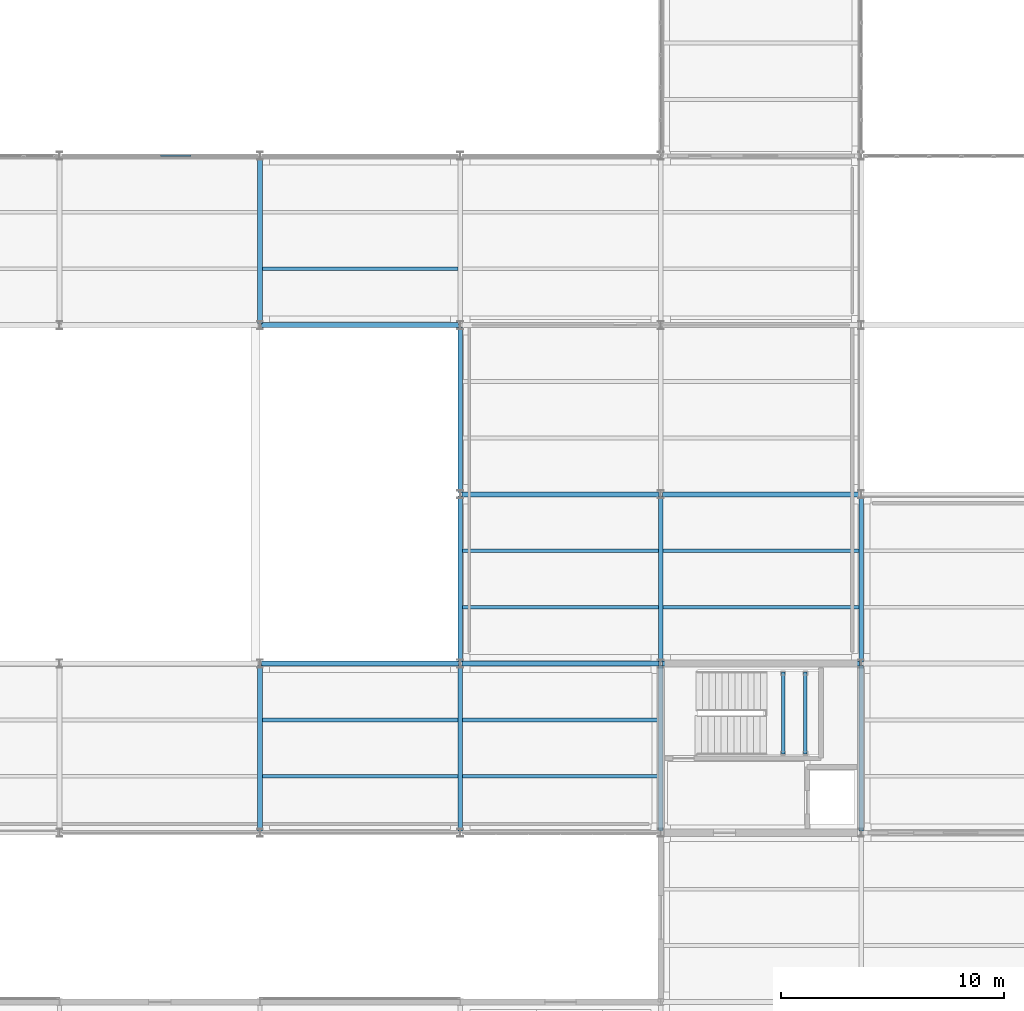
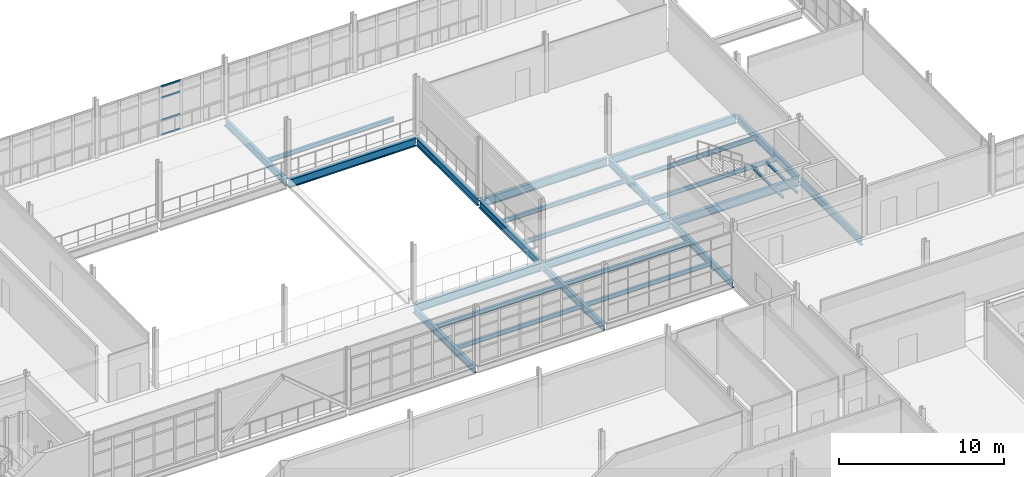
# One storey, part 47 of 174: 26 beams, 4 members, 1 element without a shape of its own.
"""IFC4 building model written with IfcOpenShell, lengths in metres."""

import ifcopenshell
import ifcopenshell.guid

model = None  # the IFC model being written
_history = None  # IfcOwnerHistory: only IFC2X3 demands one
_inside = {}  # id of a spatial element -> (the spatial element, [elements in it])
_under = {}  # id of a project, library or spatial element -> (it, [spatial elements below it])
_declared = {}  # id of a project -> (the project, [libraries it declares])
_typed = {}  # id of a type object -> (the type object, [elements of that type])
_made_of = {}  # id of a material, layer set ... -> (it, [elements and type objects made of it])


def new_model(schema):
    """Start an empty IFC model of exactly this schema.

    Asked for "IFC4X3", IfcOpenShell would pick the latest addendum, in which some entities
    have other attributes; the version numbers below select the first issue.
    IFC2X3 requires an IfcOwnerHistory on every rooted entity: one is made here for all.
    """
    global model, _history
    if schema == "IFC4X3":
        model = ifcopenshell.file(schema_version=(4, 3, 0, 0))
    else:
        model = ifcopenshell.file(schema=schema)
    _inside.clear()
    _under.clear()
    _declared.clear()
    _typed.clear()
    _made_of.clear()
    _history = None
    if model.schema == "IFC2X3":
        org = make("IfcOrganization", Name="unknown")
        user = make(
            "IfcPersonAndOrganization",
            ThePerson=make("IfcPerson", FamilyName="unknown"),
            TheOrganization=org,
        )
        app = make(
            "IfcApplication",
            ApplicationDeveloper=org,
            Version="unknown",
            ApplicationFullName="unknown",
            ApplicationIdentifier="unknown",
        )
        _history = make(
            "IfcOwnerHistory",
            OwningUser=user,
            OwningApplication=app,
            ChangeAction="ADDED",
            CreationDate=0,
        )
    return model


def make(cls, **values):
    """One entity of the class cls with the attributes given. An attribute that is None is left unset."""
    return model.create_entity(
        cls, **{name: value for name, value in values.items() if value is not None}
    )


def rooted(cls, **values):
    """An entity with a GlobalId (a new one), such as an element, a storey or a relation."""
    return make(cls, GlobalId=ifcopenshell.guid.new(), OwnerHistory=_history, **values)


def si_unit(unit_type, name, prefix=None):
    """IfcSIUnit, for example si_unit("LENGTHUNIT", "METRE", prefix="MILLI")."""
    return make("IfcSIUnit", UnitType=unit_type, Prefix=prefix, Name=name)


def assignment(units):
    """IfcUnitAssignment: the units of a project."""
    return None if units is None else make("IfcUnitAssignment", Units=units)


def point(xyz):
    """IfcCartesianPoint."""
    return None if xyz is None else make("IfcCartesianPoint", Coordinates=xyz)


def direction(xyz):
    """IfcDirection."""
    return None if xyz is None else make("IfcDirection", DirectionRatios=xyz)


def frame(location, z_axis=None, x_axis=None):
    """IfcAxis2Placement3D, a coordinate frame: its origin and axes. An axis left out is left unset."""
    return make(
        "IfcAxis2Placement3D",
        Location=point(location),
        Axis=direction(z_axis),
        RefDirection=direction(x_axis),
    )


def frame_2d(location, x_axis=None):
    """IfcAxis2Placement2D, a coordinate frame in the plane: its origin and x axis."""
    return make(
        "IfcAxis2Placement2D", Location=point(location), RefDirection=direction(x_axis)
    )


def origin():
    """The frame at (0, 0, 0) with its axes left unset."""
    return frame((0.0, 0.0, 0.0))


def origin_2d():
    """The frame at (0, 0) in the plane with its x axis left unset."""
    return frame_2d((0.0, 0.0))


def place(relative_to, where):
    """IfcLocalPlacement: puts the frame where relative to a parent placement (None: the world)."""
    return make(
        "IfcLocalPlacement", PlacementRelTo=relative_to, RelativePlacement=where
    )


def context(
    kind, dimensions, precision=None, world=None, true_north=None, identifier=None
):
    """IfcGeometricRepresentationContext, for example the 3D "Model" context."""
    return make(
        "IfcGeometricRepresentationContext",
        ContextIdentifier=identifier,
        ContextType=kind,
        CoordinateSpaceDimension=dimensions,
        Precision=precision,
        WorldCoordinateSystem=world,
        TrueNorth=true_north,
    )


def subcontext(parent, identifier, kind, view, scale=None):
    """IfcGeometricRepresentationSubContext, for example "Body" below "Model"."""
    return make(
        "IfcGeometricRepresentationSubContext",
        ContextIdentifier=identifier,
        ContextType=kind,
        ParentContext=parent,
        TargetScale=scale,
        TargetView=view,
    )


def project(units=None, contexts=None):
    """IfcProject with its units and contexts."""
    return rooted(
        "IfcProject",
        Name="project",
        RepresentationContexts=contexts,
        UnitsInContext=assignment(units),
    )


def spatial(cls, under=None, at=None, **own):
    """A site, building, storey or space (cls), placed at a placement, below another one or the project."""
    s = rooted(cls, ObjectPlacement=at, **own)
    if under is not None:
        _under.setdefault(under.id(), (under, []))[1].append(s)
    return s


def profile(cls, at=None, kind="AREA", **sizes):
    """A parametric profile (cls). Its sizes go by their IFC names, for example OverallWidth=200.0."""
    return make(cls, ProfileType=kind, Position=at, **sizes)


def hollow_rectangle(**sizes):
    """IfcRectangleHollowProfileDef."""
    return profile("IfcRectangleHollowProfileDef", **sizes)


def i_section(**sizes):
    """IfcIShapeProfileDef."""
    return profile("IfcIShapeProfileDef", **sizes)


def extrude(swept, where, along, depth):
    """IfcExtrudedAreaSolid: the profile swept, set in the frame where, extruded along a direction by depth."""
    return make(
        "IfcExtrudedAreaSolid",
        SweptArea=swept,
        Position=where,
        ExtrudedDirection=direction(along),
        Depth=depth,
    )


def shape(context_of_items, identifier, shape_type, items):
    """IfcShapeRepresentation: the items that make up one representation, for example the "Body"."""
    return make(
        "IfcShapeRepresentation",
        ContextOfItems=context_of_items,
        RepresentationIdentifier=identifier,
        RepresentationType=shape_type,
        Items=items,
    )


def material(Name=None, Category=None):
    """IfcMaterial."""
    return make("IfcMaterial", Name=Name, Category=Category)


def material_profile(
    of_material, cross_section, Name=None, Category=None, Priority=None
):
    """IfcMaterialProfile: a cross section and its material."""
    return make(
        "IfcMaterialProfile",
        Name=Name,
        Material=of_material,
        Profile=cross_section,
        Priority=Priority,
        Category=Category,
    )


def profile_set(profiles, Name=None, composite=None):
    """IfcMaterialProfileSet."""
    return make(
        "IfcMaterialProfileSet",
        Name=Name,
        MaterialProfiles=profiles,
        CompositeProfile=composite,
    )


def made_of(thing, what):
    """Note that an element or type object is made of a material, layer set ...; save() writes the relation."""
    if what is not None:
        _made_of.setdefault(what.id(), (what, []))[1].append(thing)
    return thing


def type_object(cls, material=None, **own):
    """A type object (cls), such as IfcWallType, which elements share."""
    return made_of(rooted(cls, **own), material)


def element(
    cls,
    number,
    at=None,
    inside=None,
    cuts=None,
    type_object=None,
    material=None,
    context=None,
    identifier="Body",
    shape_type=None,
    held_by="IfcProductDefinitionShape",
    body=None,
    shapes=None,
    **own,
):
    """One element of the class cls, such as IfcWall. Its Tag is "e" and its number.

    at: its placement. inside: the storey or other place that contains it. cuts: it is an
    opening in that element (IfcRelVoidsElement). A single representation is given by context,
    identifier, shape_type and body (its items); several are given by shapes. held_by: the class
    of the entity that holds the representations. save() writes the other relations.
    """
    e = rooted(cls, Tag="e%d" % number, ObjectPlacement=at, **own)
    if body is not None:
        shapes = [shape(context, identifier, shape_type, body)]
    if shapes is not None:
        e.Representation = make(held_by, Representations=shapes)
    if inside is not None:
        _inside.setdefault(inside.id(), (inside, []))[1].append(e)
    if cuts is not None:
        rooted(
            "IfcRelVoidsElement", RelatingBuildingElement=cuts, RelatedOpeningElement=e
        )
    if type_object is not None:
        _typed.setdefault(type_object.id(), (type_object, []))[1].append(e)
    return made_of(e, material)


def aggregate(whole, parts):
    """IfcRelAggregates: a whole, such as a stair, and the parts it consists of."""
    return rooted("IfcRelAggregates", RelatingObject=whole, RelatedObjects=parts)


def save(model, path):
    """Write the relations noted so far, then the file.

    IfcRelAggregates (storeys below a building ...), IfcRelContainedInSpatialStructure (elements
    in a storey), IfcRelDefinesByType, IfcRelAssociatesMaterial and IfcRelDeclares: one each for
    every whole, place, type object, material and project.
    """
    for whole, parts in _under.values():
        aggregate(whole, parts)
    for where, things in _inside.values():
        rooted(
            "IfcRelContainedInSpatialStructure",
            RelatedElements=things,
            RelatingStructure=where,
        )
    for kind, things in _typed.values():
        rooted("IfcRelDefinesByType", RelatedObjects=things, RelatingType=kind)
    for what, things in _made_of.values():
        rooted("IfcRelAssociatesMaterial", RelatedObjects=things, RelatingMaterial=what)
    for by, libraries in _declared.values():
        rooted("IfcRelDeclares", RelatingContext=by, RelatedDefinitions=libraries)
    model.write(path)


model = new_model("IFC4")

# Units and contexts
model_context = context("Model", 3, precision=1e-05, world=origin(), true_north=direction((0.0, 1.0)))
body_context = subcontext(model_context, "Body", "Model", "MODEL_VIEW")
ifc_project = project(units=[si_unit("LENGTHUNIT", "METRE"), si_unit("AREAUNIT", "SQUARE_METRE"), si_unit("VOLUMEUNIT", "CUBIC_METRE"), si_unit("PLANEANGLEUNIT", "RADIAN"), si_unit("MASSUNIT", "GRAM", prefix="KILO")], contexts=[model_context])

# Site, building, storey
site_placement = place(None, origin())
site = spatial("IfcSite", under=ifc_project, at=site_placement, CompositionType="ELEMENT")
building_placement = place(site_placement, origin())
building = spatial("IfcBuilding", under=site, at=building_placement, Name="Caisbarro Railhouse Central Library", CompositionType="ELEMENT")
storey_placement = place(building_placement, frame((0.0, 0.0, 5.0400390625)))
storey = spatial("IfcBuildingStorey", under=building, at=storey_placement, Name="L01", CompositionType="ELEMENT", Elevation=5.0400390625)

# Beams
ifc_material_1 = material(Name="Steel ASTM A572 Grade 50", Category="steel")
ifc_material_profile_1 = material_profile(ifc_material_1, i_section(OverallWidth=0.22802734375, OverallDepth=0.60791015625, WebThickness=0.01123046875, FlangeThickness=0.017333984375, FilletRadius=0.02197265625, at=origin_2d()), Name="W610X113.0")
ifc_profile_set_1 = profile_set([ifc_material_profile_1], Name="Steel ASTM A572 Grade 50")
beam_type_1 = type_object("IfcBeamType", Name="BM-G04", PredefinedType="BEAM", material=ifc_profile_set_1)
for number, where, z_axis, x_axis, name in (
    (1, (36.080078125, 38.0, -0.52392578125), (1.0, 0.0, 0.0), (0.0, 1.0, 0.0), "G04 beam L01 #800"),
    (2, (45.080078125, 38.0, -0.52392578125), (1.0, 0.0, 0.0), (0.0, 1.0, 0.0), "G04 beam L01 #801"),
    (3, (54.080078125, 38.0, -0.52392578125), (1.0, 0.0, 0.0), (0.0, 1.0, 0.0), "G04 beam L01 #802"),
    (4, (45.080078125, 45.60009765625, -0.52392578125), (1.0, 0.0, 0.0), (0.0, 1.0, 0.0), "G04 beam L01 #806"),
    (5, (54.080078125, 45.60009765625, -0.52392578125), (1.0, 0.0, 0.0), (0.0, 1.0, 0.0), "G04 beam L01 #807"),
    (6, (36.080078125, 53.199951171875, -0.52392578125), (1.0, 0.0, 0.0), (0.0, 1.0, 0.0), "G04 beam L01 #813"),
):
    element("IfcBeam", number, at=place(storey_placement, frame(where, z_axis=z_axis, x_axis=x_axis)), inside=storey, type_object=beam_type_1, Name=name, PredefinedType="BEAM", context=body_context, shape_type="SweptSolid", body=[
        extrude(i_section(OverallWidth=0.22802734375, OverallDepth=0.60791015625, WebThickness=0.01123046875, FlangeThickness=0.017333984375, FilletRadius=0.02197265625, at=origin_2d()), origin(), (0.0, 0.0, 1.0), 8.83984375),
    ])
ifc_material_profile_2 = material_profile(ifc_material_1, i_section(OverallWidth=0.208984375, OverallDepth=0.532958984375, WebThickness=0.01025390625, FlangeThickness=0.015625, FilletRadius=0.02001953125, at=origin_2d()), Name="W530X92.0")
ifc_profile_set_2 = profile_set([ifc_material_profile_2], Name="Steel ASTM A572 Grade 50")
beam_type_2 = type_object("IfcBeamType", Name="BM-G06", PredefinedType="BEAM", material=ifc_profile_set_2)
for number, where, z_axis, x_axis, name in (
    (7, (36.0, 30.47998046875, -0.486572265625), (0.0, 1.0, 0.0), (-1.0, 0.0, 0.0), "G06 beam L01 #839"),
    (8, (36.0, 53.280029296875, -0.486572265625), (0.0, 1.0, 0.0), (-1.0, 0.0, 0.0), "G06 beam L01 #840"),
    (9, (45.0, 30.47998046875, -0.486572265625), (0.0, 1.0, 0.0), (-1.0, 0.0, 0.0), "G06 beam L01 #841"),
    (10, (45.0, 38.080078125, -0.486572265625), (0.0, 1.0, 0.0), (-1.0, 0.0, 0.0), "G06 beam L01 #842"),
):
    element("IfcBeam", number, at=place(storey_placement, frame(where, z_axis=z_axis, x_axis=x_axis)), inside=storey, type_object=beam_type_2, Name=name, PredefinedType="BEAM", context=body_context, shape_type="SweptSolid", body=[
        extrude(i_section(OverallWidth=0.208984375, OverallDepth=0.532958984375, WebThickness=0.01025390625, FlangeThickness=0.015625, FilletRadius=0.02001953125, at=origin_2d()), origin(), (0.0, 0.0, 1.0), 7.43994140625),
    ])
beam_placement = place(storey_placement, frame((45.0, 45.679931640625, -0.486572265625), z_axis=(0.0, 1.0, 0.0), x_axis=(-1.0, 0.0, 0.0)))
element("IfcBeam", 11, at=beam_placement, inside=storey, type_object=beam_type_2, Name="G06 beam L01 #843", PredefinedType="BEAM", context=body_context, shape_type="SweptSolid", body=[
    extrude(i_section(OverallWidth=0.208984375, OverallDepth=0.532958984375, WebThickness=0.01025390625, FlangeThickness=0.015625, FilletRadius=0.02001953125, at=origin_2d()), origin(), (0.0, 0.0, 1.0), 7.440185546875),
])
for number, where, z_axis, x_axis, name in (
    (12, (54.0, 30.47998046875, -0.486572265625), (0.0, 1.0, 0.0), (-1.0, 0.0, 0.0), "G06 beam L01 #845"),
    (13, (54.0, 38.080078125, -0.486572265625), (0.0, 1.0, 0.0), (-1.0, 0.0, 0.0), "G06 beam L01 #846"),
    (14, (63.0, 30.47998046875, -0.486572265625), (0.0, 1.0, 0.0), (-1.0, 0.0, 0.0), "G06 beam L01 #849"),
    (15, (63.0, 38.080078125, -0.486572265625), (0.0, 1.0, 0.0), (-1.0, 0.0, 0.0), "G06 beam L01 #850"),
):
    element("IfcBeam", number, at=place(storey_placement, frame(where, z_axis=z_axis, x_axis=x_axis)), inside=storey, type_object=beam_type_2, Name=name, PredefinedType="BEAM", context=body_context, shape_type="SweptSolid", body=[
        extrude(i_section(OverallWidth=0.208984375, OverallDepth=0.532958984375, WebThickness=0.01025390625, FlangeThickness=0.015625, FilletRadius=0.02001953125, at=origin_2d()), origin(), (0.0, 0.0, 1.0), 7.43994140625),
    ])
ifc_material_profile_3 = material_profile(ifc_material_1, i_section(OverallWidth=0.1650390625, OverallDepth=0.31005859375, WebThickness=0.005859375, FlangeThickness=0.009765625, FilletRadius=0.011962890625, at=origin_2d()), Name="W310X38.7")
ifc_profile_set_3 = profile_set([ifc_material_profile_3], Name="Steel ASTM A572 Grade 50")
beam_type_3 = type_object("IfcBeamType", Name="BM-J03", PredefinedType="JOIST", material=ifc_profile_set_3)
for number, where, z_axis, x_axis, name in (
    (16, (36.1044921875, 32.933349609375, -0.375), (1.0, 0.0, 0.0), (0.0, 1.0, 0.0), "J03 beam L01 #879"),
    (17, (36.1044921875, 35.466796875, -0.375), (1.0, 0.0, 0.0), (0.0, 1.0, 0.0), "J03 beam L01 #880"),
    (18, (36.1044921875, 55.7333984375, -0.375), (1.0, 0.0, 0.0), (0.0, 1.0, 0.0), "J03 beam L01 #881"),
    (19, (45.1044921875, 32.933349609375, -0.375), (1.0, 0.0, 0.0), (0.0, 1.0, 0.0), "J03 beam L01 #883"),
    (20, (45.1044921875, 35.466796875, -0.375), (1.0, 0.0, 0.0), (0.0, 1.0, 0.0), "J03 beam L01 #884"),
    (21, (45.1044921875, 40.533203125, -0.375), (1.0, 0.0, 0.0), (0.0, 1.0, 0.0), "J03 beam L01 #885"),
    (22, (45.1044921875, 43.066650390625, -0.375), (1.0, 0.0, 0.0), (0.0, 1.0, 0.0), "J03 beam L01 #886"),
    (23, (54.1044921875, 40.533203125, -0.375), (1.0, 0.0, 0.0), (0.0, 1.0, 0.0), "J03 beam L01 #891"),
    (24, (54.1044921875, 43.066650390625, -0.375), (1.0, 0.0, 0.0), (0.0, 1.0, 0.0), "J03 beam L01 #892"),
):
    element("IfcBeam", number, at=place(storey_placement, frame(where, z_axis=z_axis, x_axis=x_axis)), inside=storey, type_object=beam_type_3, Name=name, PredefinedType="JOIST", context=body_context, shape_type="SweptSolid", body=[
        extrude(i_section(OverallWidth=0.1650390625, OverallDepth=0.31005859375, WebThickness=0.005859375, FlangeThickness=0.009765625, FilletRadius=0.011962890625, at=origin_2d()), origin(), (0.0, 0.0, 1.0), 8.791015625),
    ])
ifc_material_profile_4 = material_profile(ifc_material_1, i_section(OverallWidth=0.152099609375, OverallDepth=0.152099609375, WebThickness=0.005859375, FlangeThickness=0.006591796875, FilletRadius=0.008056640625, at=origin_2d()), Name="W150X22.5")
ifc_profile_set_4 = profile_set([ifc_material_profile_4], Name="Steel ASTM A572 Grade 50")
beam_type_4 = type_object("IfcBeamType", Name="BM-SL01", PredefinedType="BEAM", material=ifc_profile_set_4)
for number, where, z_axis, x_axis, name in (
    (25, (59.5, 33.929931640625, 1.89404296875), (0.0, 1.0, 0.0), (-1.0, 0.0, 0.0), "SL01 Stair Landing Support Beam K4 L01 W"),
    (26, (60.5, 33.929931640625, 1.89404296875), (0.0, 1.0, 0.0), (-1.0, 0.0, 0.0), "SL01 Stair Landing Support Beam K4 L01 E"),
):
    element("IfcBeam", number, at=place(storey_placement, frame(where, z_axis=z_axis, x_axis=x_axis)), inside=storey, type_object=beam_type_4, Name=name, PredefinedType="BEAM", context=body_context, shape_type="SweptSolid", body=[
        extrude(i_section(OverallWidth=0.152099609375, OverallDepth=0.152099609375, WebThickness=0.005859375, FlangeThickness=0.006591796875, FilletRadius=0.008056640625, at=origin_2d()), origin(), (0.0, 0.0, 1.0), 3.690185546875),
    ])

# Curtain wall, members
ifc_material_2 = material(Name="Anodised architectural aluminium", Category="aluminium")
curtain_wall_type = type_object("IfcCurtainWallType", Name="CW-CW02", PredefinedType="NOTDEFINED", material=ifc_material_2)
curtain_wall_placement = place(storey_placement, origin())
curtain_wall = element("IfcCurtainWall", 27, at=curtain_wall_placement, inside=storey, type_object=curtain_wall_type, Name="CW02 curtain wall L01 #10", PredefinedType="NOTDEFINED")
ifc_material_profile_5 = material_profile(ifc_material_2, hollow_rectangle(XDim=0.06494140625, YDim=0.1201171875, WallThickness=0.00341796875, at=origin_2d()), Name="ALU-TRN-65X120")
ifc_profile_set_5 = profile_set([ifc_material_profile_5], Name="Anodised architectural aluminium")
member_type = type_object("IfcMemberType", Name="CWT-T02", PredefinedType="USERDEFINED", material=ifc_profile_set_5)
member_1_placement = place(storey_placement, frame((31.53759765625, 60.800048828125, 0.032470703125), z_axis=(1.0, 0.0, 0.0), x_axis=(0.0, 1.0, 0.0)))
member_1 = element("IfcMember", 28, at=member_1_placement, type_object=member_type, Name="CW02 transom 4.1", ObjectType="TRANSOM", PredefinedType="USERDEFINED", context=body_context, shape_type="SweptSolid", body=[
    extrude(hollow_rectangle(XDim=0.06494140625, YDim=0.1201171875, WallThickness=0.00341796875, at=origin_2d()), origin(), (0.0, 0.0, 1.0), 1.37158203125),
])
member_2_placement = place(storey_placement, frame((31.53759765625, 60.800048828125, 1.119873046875), z_axis=(1.0, 0.0, 0.0), x_axis=(0.0, 1.0, 0.0)))
member_2 = element("IfcMember", 29, at=member_2_placement, type_object=member_type, Name="CW02 transom 4.2", ObjectType="TRANSOM", PredefinedType="USERDEFINED", context=body_context, shape_type="SweptSolid", body=[
    extrude(hollow_rectangle(XDim=0.06494140625, YDim=0.1201171875, WallThickness=0.00341796875, at=origin_2d()), origin(), (0.0, 0.0, 1.0), 1.37158203125),
])
member_3_placement = place(storey_placement, frame((31.53759765625, 60.800048828125, 2.780029296875), z_axis=(1.0, 0.0, 0.0), x_axis=(0.0, 1.0, 0.0)))
member_3 = element("IfcMember", 30, at=member_3_placement, type_object=member_type, Name="CW02 transom 4.3", ObjectType="TRANSOM", PredefinedType="USERDEFINED", context=body_context, shape_type="SweptSolid", body=[
    extrude(hollow_rectangle(XDim=0.06494140625, YDim=0.1201171875, WallThickness=0.00341796875, at=origin_2d()), origin(), (0.0, 0.0, 1.0), 1.37158203125),
])
member_4_placement = place(storey_placement, frame((31.53759765625, 60.800048828125, 3.597412109375), z_axis=(1.0, 0.0, 0.0), x_axis=(0.0, 1.0, 0.0)))
member_4 = element("IfcMember", 31, at=member_4_placement, type_object=member_type, Name="CW02 transom 4.4", ObjectType="TRANSOM", PredefinedType="USERDEFINED", context=body_context, shape_type="SweptSolid", body=[
    extrude(hollow_rectangle(XDim=0.06494140625, YDim=0.1201171875, WallThickness=0.00341796875, at=origin_2d()), origin(), (0.0, 0.0, 1.0), 1.37158203125),
])
aggregate(curtain_wall, [member_1, member_2, member_3, member_4])

save(model, "model.ifc")
